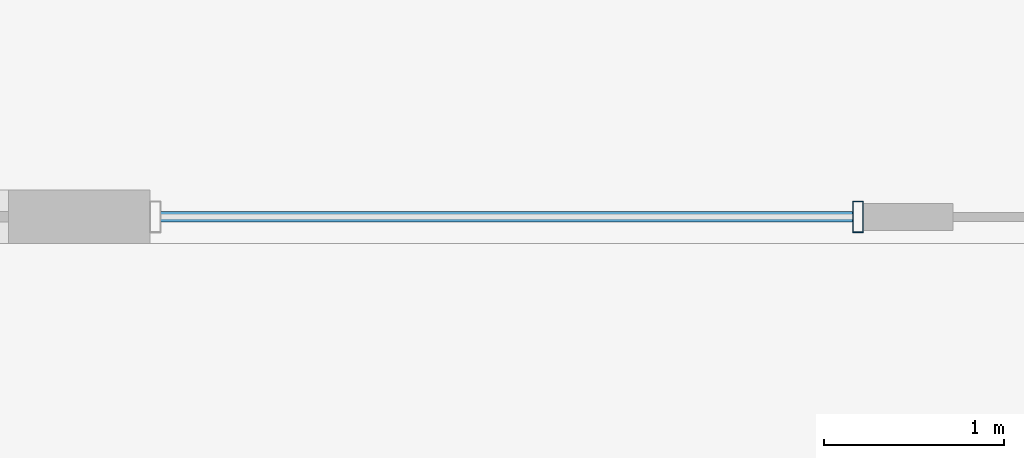
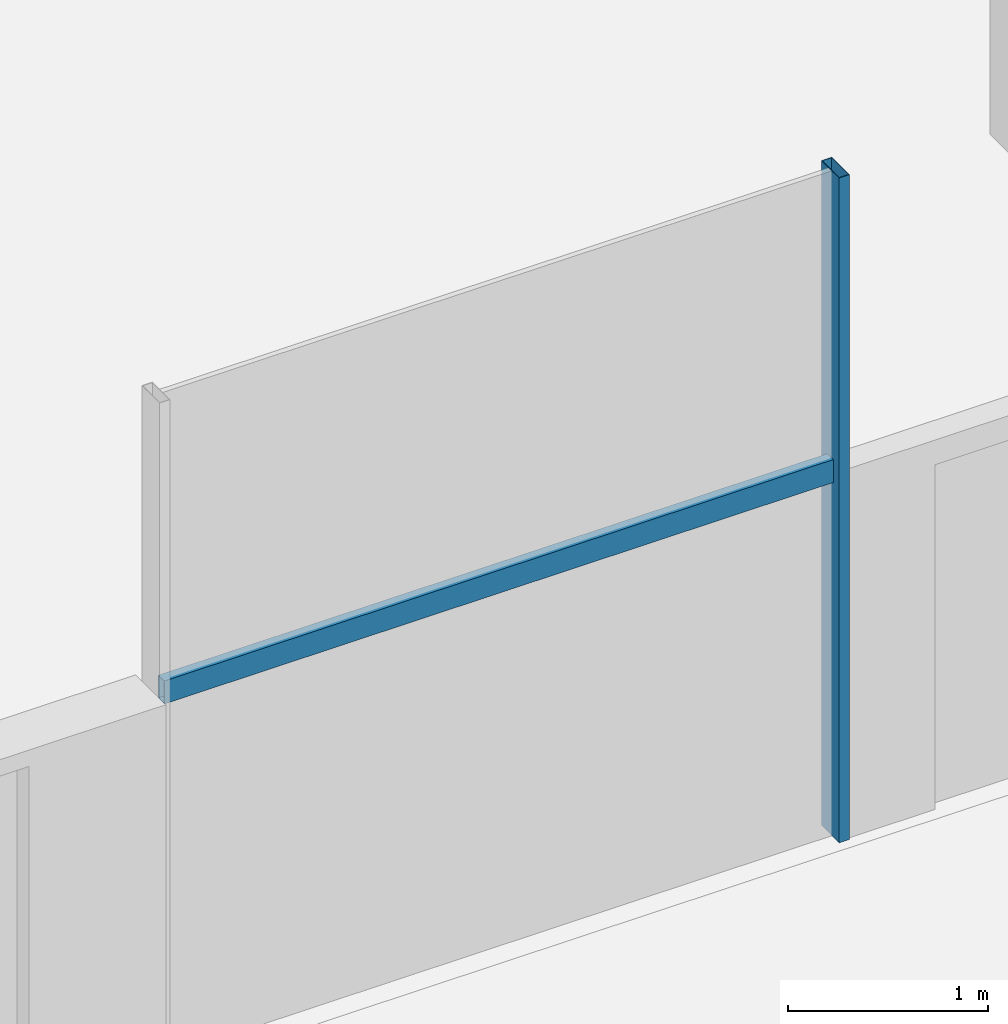
# One storey, part 4 of 26: 2 members, 1 element without a shape of its own.
"""IFC4 building model written with IfcOpenShell, lengths in metres."""

import ifcopenshell
import ifcopenshell.guid

model = None  # the IFC model being written
_history = None  # IfcOwnerHistory: only IFC2X3 demands one
_inside = {}  # id of a spatial element -> (the spatial element, [elements in it])
_under = {}  # id of a project, library or spatial element -> (it, [spatial elements below it])
_declared = {}  # id of a project -> (the project, [libraries it declares])
_typed = {}  # id of a type object -> (the type object, [elements of that type])
_made_of = {}  # id of a material, layer set ... -> (it, [elements and type objects made of it])


def new_model(schema):
    """Start an empty IFC model of exactly this schema.

    Asked for "IFC4X3", IfcOpenShell would pick the latest addendum, in which some entities
    have other attributes; the version numbers below select the first issue.
    IFC2X3 requires an IfcOwnerHistory on every rooted entity: one is made here for all.
    """
    global model, _history
    if schema == "IFC4X3":
        model = ifcopenshell.file(schema_version=(4, 3, 0, 0))
    else:
        model = ifcopenshell.file(schema=schema)
    _inside.clear()
    _under.clear()
    _declared.clear()
    _typed.clear()
    _made_of.clear()
    _history = None
    if model.schema == "IFC2X3":
        org = make("IfcOrganization", Name="unknown")
        user = make(
            "IfcPersonAndOrganization",
            ThePerson=make("IfcPerson", FamilyName="unknown"),
            TheOrganization=org,
        )
        app = make(
            "IfcApplication",
            ApplicationDeveloper=org,
            Version="unknown",
            ApplicationFullName="unknown",
            ApplicationIdentifier="unknown",
        )
        _history = make(
            "IfcOwnerHistory",
            OwningUser=user,
            OwningApplication=app,
            ChangeAction="ADDED",
            CreationDate=0,
        )
    return model


def make(cls, **values):
    """One entity of the class cls with the attributes given. An attribute that is None is left unset."""
    return model.create_entity(
        cls, **{name: value for name, value in values.items() if value is not None}
    )


def rooted(cls, **values):
    """An entity with a GlobalId (a new one), such as an element, a storey or a relation."""
    return make(cls, GlobalId=ifcopenshell.guid.new(), OwnerHistory=_history, **values)


def si_unit(unit_type, name, prefix=None):
    """IfcSIUnit, for example si_unit("LENGTHUNIT", "METRE", prefix="MILLI")."""
    return make("IfcSIUnit", UnitType=unit_type, Prefix=prefix, Name=name)


def assignment(units):
    """IfcUnitAssignment: the units of a project."""
    return None if units is None else make("IfcUnitAssignment", Units=units)


def point(xyz):
    """IfcCartesianPoint."""
    return None if xyz is None else make("IfcCartesianPoint", Coordinates=xyz)


def direction(xyz):
    """IfcDirection."""
    return None if xyz is None else make("IfcDirection", DirectionRatios=xyz)


def frame(location, z_axis=None, x_axis=None):
    """IfcAxis2Placement3D, a coordinate frame: its origin and axes. An axis left out is left unset."""
    return make(
        "IfcAxis2Placement3D",
        Location=point(location),
        Axis=direction(z_axis),
        RefDirection=direction(x_axis),
    )


def frame_2d(location, x_axis=None):
    """IfcAxis2Placement2D, a coordinate frame in the plane: its origin and x axis."""
    return make(
        "IfcAxis2Placement2D", Location=point(location), RefDirection=direction(x_axis)
    )


def origin():
    """The frame at (0, 0, 0) with its axes left unset."""
    return frame((0.0, 0.0, 0.0))


def origin_2d():
    """The frame at (0, 0) in the plane with its x axis left unset."""
    return frame_2d((0.0, 0.0))


def place(relative_to, where):
    """IfcLocalPlacement: puts the frame where relative to a parent placement (None: the world)."""
    return make(
        "IfcLocalPlacement", PlacementRelTo=relative_to, RelativePlacement=where
    )


def context(
    kind, dimensions, precision=None, world=None, true_north=None, identifier=None
):
    """IfcGeometricRepresentationContext, for example the 3D "Model" context."""
    return make(
        "IfcGeometricRepresentationContext",
        ContextIdentifier=identifier,
        ContextType=kind,
        CoordinateSpaceDimension=dimensions,
        Precision=precision,
        WorldCoordinateSystem=world,
        TrueNorth=true_north,
    )


def subcontext(parent, identifier, kind, view, scale=None):
    """IfcGeometricRepresentationSubContext, for example "Body" below "Model"."""
    return make(
        "IfcGeometricRepresentationSubContext",
        ContextIdentifier=identifier,
        ContextType=kind,
        ParentContext=parent,
        TargetScale=scale,
        TargetView=view,
    )


def project(units=None, contexts=None):
    """IfcProject with its units and contexts."""
    return rooted(
        "IfcProject",
        Name="project",
        RepresentationContexts=contexts,
        UnitsInContext=assignment(units),
    )


def spatial(cls, under=None, at=None, **own):
    """A site, building, storey or space (cls), placed at a placement, below another one or the project."""
    s = rooted(cls, ObjectPlacement=at, **own)
    if under is not None:
        _under.setdefault(under.id(), (under, []))[1].append(s)
    return s


def profile(cls, at=None, kind="AREA", **sizes):
    """A parametric profile (cls). Its sizes go by their IFC names, for example OverallWidth=200.0."""
    return make(cls, ProfileType=kind, Position=at, **sizes)


def hollow_rectangle(**sizes):
    """IfcRectangleHollowProfileDef."""
    return profile("IfcRectangleHollowProfileDef", **sizes)


def extrude(swept, where, along, depth):
    """IfcExtrudedAreaSolid: the profile swept, set in the frame where, extruded along a direction by depth."""
    return make(
        "IfcExtrudedAreaSolid",
        SweptArea=swept,
        Position=where,
        ExtrudedDirection=direction(along),
        Depth=depth,
    )


def shape(context_of_items, identifier, shape_type, items):
    """IfcShapeRepresentation: the items that make up one representation, for example the "Body"."""
    return make(
        "IfcShapeRepresentation",
        ContextOfItems=context_of_items,
        RepresentationIdentifier=identifier,
        RepresentationType=shape_type,
        Items=items,
    )


def material(Name=None, Category=None):
    """IfcMaterial."""
    return make("IfcMaterial", Name=Name, Category=Category)


def material_profile(
    of_material, cross_section, Name=None, Category=None, Priority=None
):
    """IfcMaterialProfile: a cross section and its material."""
    return make(
        "IfcMaterialProfile",
        Name=Name,
        Material=of_material,
        Profile=cross_section,
        Priority=Priority,
        Category=Category,
    )


def profile_set(profiles, Name=None, composite=None):
    """IfcMaterialProfileSet."""
    return make(
        "IfcMaterialProfileSet",
        Name=Name,
        MaterialProfiles=profiles,
        CompositeProfile=composite,
    )


def made_of(thing, what):
    """Note that an element or type object is made of a material, layer set ...; save() writes the relation."""
    if what is not None:
        _made_of.setdefault(what.id(), (what, []))[1].append(thing)
    return thing


def type_object(cls, material=None, **own):
    """A type object (cls), such as IfcWallType, which elements share."""
    return made_of(rooted(cls, **own), material)


def element(
    cls,
    number,
    at=None,
    inside=None,
    cuts=None,
    type_object=None,
    material=None,
    context=None,
    identifier="Body",
    shape_type=None,
    held_by="IfcProductDefinitionShape",
    body=None,
    shapes=None,
    **own,
):
    """One element of the class cls, such as IfcWall. Its Tag is "e" and its number.

    at: its placement. inside: the storey or other place that contains it. cuts: it is an
    opening in that element (IfcRelVoidsElement). A single representation is given by context,
    identifier, shape_type and body (its items); several are given by shapes. held_by: the class
    of the entity that holds the representations. save() writes the other relations.
    """
    e = rooted(cls, Tag="e%d" % number, ObjectPlacement=at, **own)
    if body is not None:
        shapes = [shape(context, identifier, shape_type, body)]
    if shapes is not None:
        e.Representation = make(held_by, Representations=shapes)
    if inside is not None:
        _inside.setdefault(inside.id(), (inside, []))[1].append(e)
    if cuts is not None:
        rooted(
            "IfcRelVoidsElement", RelatingBuildingElement=cuts, RelatedOpeningElement=e
        )
    if type_object is not None:
        _typed.setdefault(type_object.id(), (type_object, []))[1].append(e)
    return made_of(e, material)


def aggregate(whole, parts):
    """IfcRelAggregates: a whole, such as a stair, and the parts it consists of."""
    return rooted("IfcRelAggregates", RelatingObject=whole, RelatedObjects=parts)


def save(model, path):
    """Write the relations noted so far, then the file.

    IfcRelAggregates (storeys below a building ...), IfcRelContainedInSpatialStructure (elements
    in a storey), IfcRelDefinesByType, IfcRelAssociatesMaterial and IfcRelDeclares: one each for
    every whole, place, type object, material and project.
    """
    for whole, parts in _under.values():
        aggregate(whole, parts)
    for where, things in _inside.values():
        rooted(
            "IfcRelContainedInSpatialStructure",
            RelatedElements=things,
            RelatingStructure=where,
        )
    for kind, things in _typed.values():
        rooted("IfcRelDefinesByType", RelatedObjects=things, RelatingType=kind)
    for what, things in _made_of.values():
        rooted("IfcRelAssociatesMaterial", RelatedObjects=things, RelatingMaterial=what)
    for by, libraries in _declared.values():
        rooted("IfcRelDeclares", RelatingContext=by, RelatedDefinitions=libraries)
    model.write(path)


model = new_model("IFC4")

# Units and contexts
model_context = context("Model", 3, precision=1e-05, world=origin(), true_north=direction((0.0, 1.0)))
body_context = subcontext(model_context, "Body", "Model", "MODEL_VIEW")
ifc_project = project(units=[si_unit("LENGTHUNIT", "METRE"), si_unit("AREAUNIT", "SQUARE_METRE"), si_unit("VOLUMEUNIT", "CUBIC_METRE"), si_unit("PLANEANGLEUNIT", "RADIAN"), si_unit("MASSUNIT", "GRAM", prefix="KILO")], contexts=[model_context])

# Site, building, storey
site_placement = place(None, origin())
site = spatial("IfcSite", under=ifc_project, at=site_placement, CompositionType="ELEMENT")
building_placement = place(site_placement, origin())
building = spatial("IfcBuilding", under=site, at=building_placement, Name="Altepetl Exchange Towers", CompositionType="ELEMENT")
storey_placement = place(building_placement, frame((0.0, 0.0, 16.5)))
storey = spatial("IfcBuildingStorey", under=building, at=storey_placement, Name="L03 Podium terrace", CompositionType="ELEMENT", Elevation=16.5)

# Curtain wall, members
ifc_material_1 = material(Name="Aluminium 6063-T6 glazing", Category="aluminium")
curtain_wall_type = type_object("IfcCurtainWallType", Name="Podium storefront system", PredefinedType="NOTDEFINED", material=ifc_material_1)
curtain_wall_placement = place(storey_placement, origin())
curtain_wall = element("IfcCurtainWall", 1, at=curtain_wall_placement, inside=storey, type_object=curtain_wall_type, Name="CW5 run", PredefinedType="NOTDEFINED")
ifc_material_2 = material(Name="Aluminium 6063-T6", Category="aluminium")
ifc_material_profile_1 = material_profile(ifc_material_2, hollow_rectangle(XDim=0.06005859375, YDim=0.175048828125, WallThickness=0.0029296875, at=origin_2d()), Name="Mullion 60x175 aluminium")
ifc_profile_set_1 = profile_set([ifc_material_profile_1], Name="Aluminium 6063-T6")
member_type_1 = type_object("IfcMemberType", Name="Mullion 60x175 aluminium", PredefinedType="MULLION", material=ifc_profile_set_1)
member_1_placement = place(storey_placement, frame((54.27001953125, 27.14990234375, 0.0)))
member_1 = element("IfcMember", 2, at=member_1_placement, type_object=member_type_1, Name="MU4 mullion", PredefinedType="MULLION", context=body_context, shape_type="SweptSolid", body=[
    extrude(hollow_rectangle(XDim=0.06005859375, YDim=0.175048828125, WallThickness=0.0029296875, at=origin_2d()), origin(), (0.0, 0.0, 1.0), 4.050048828125),
])
ifc_material_profile_2 = material_profile(ifc_material_2, hollow_rectangle(XDim=0.06005859375, YDim=0.139892578125, WallThickness=0.0029296875, at=origin_2d()), Name="Transom 60x140 aluminium")
ifc_profile_set_2 = profile_set([ifc_material_profile_2], Name="Aluminium 6063-T6")
member_type_2 = type_object("IfcMemberType", Name="Transom 60x140 aluminium", PredefinedType="USERDEFINED", material=ifc_profile_set_2)
member_2_placement = place(storey_placement, frame((50.385009765625, 27.14990234375, 2.22998046875), z_axis=(1.0, 0.0, 0.0), x_axis=(0.0, 1.0, 0.0)))
member_2 = element("IfcMember", 3, at=member_2_placement, type_object=member_type_2, Name="TR3 transom", ObjectType="TRANSOM", PredefinedType="USERDEFINED", context=body_context, shape_type="SweptSolid", body=[
    extrude(hollow_rectangle(XDim=0.06005859375, YDim=0.139892578125, WallThickness=0.0029296875, at=origin_2d()), origin(), (0.0, 0.0, 1.0), 3.85498046875),
])
aggregate(curtain_wall, [member_1, member_2])

save(model, "model.ifc")
